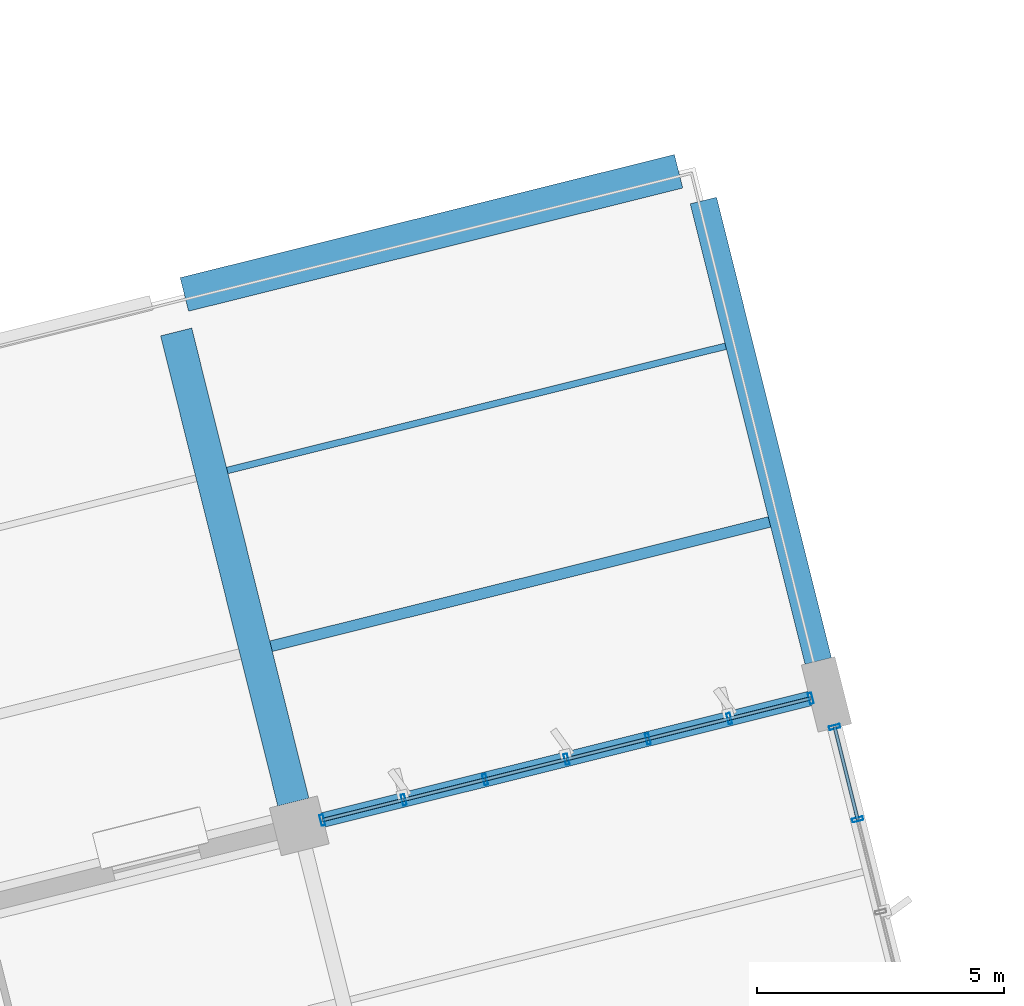
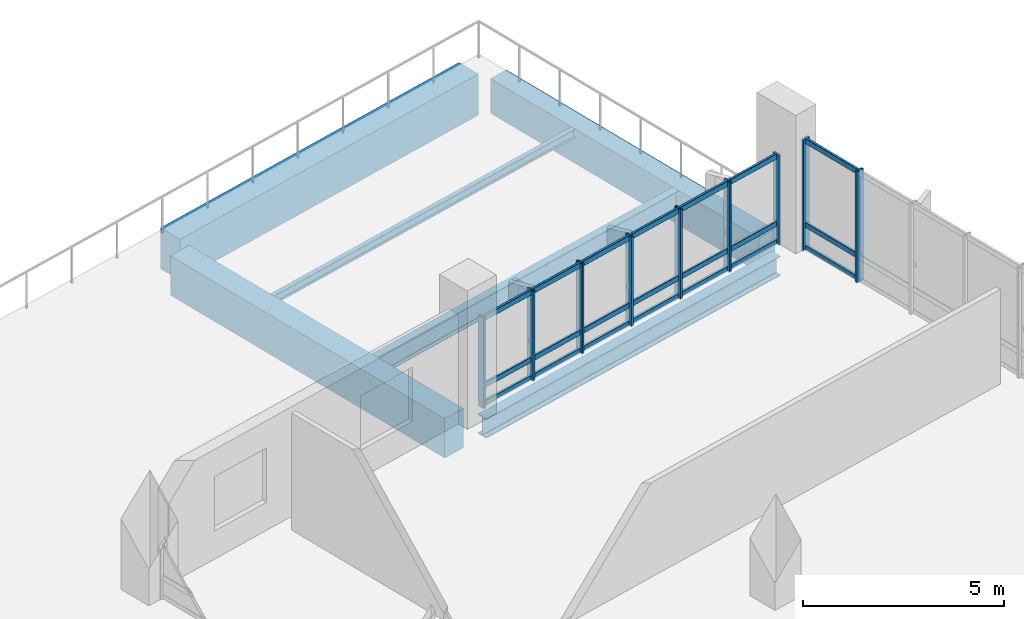
# One storey, part 23 of 42: 30 members, 6 beams, 2 elements without a shape of their own.
"""IFC4 building model written with IfcOpenShell, lengths in metres."""

from ifc_helpers import new_model, si_unit, direction, frame, origin, origin_2d, place, context, subcontext, project, spatial, rectangle, hollow_rectangle, i_section, extrude, material, layer, layer_set, material_profile, profile_set, type_object, element, aggregate, save


model = new_model("IFC4")

# Units and contexts
model_context = context("Model", 3, precision=1e-05, world=origin(), true_north=direction((0.0, 1.0)))
body_context = subcontext(model_context, "Body", "Model", "MODEL_VIEW")
ifc_project = project(units=[si_unit("LENGTHUNIT", "METRE"), si_unit("AREAUNIT", "SQUARE_METRE"), si_unit("VOLUMEUNIT", "CUBIC_METRE"), si_unit("PLANEANGLEUNIT", "RADIAN"), si_unit("MASSUNIT", "GRAM", prefix="KILO")], contexts=[model_context])

# Site, building, storey
site_placement = place(None, origin())
site = spatial("IfcSite", under=ifc_project, at=site_placement, CompositionType="ELEMENT")
building_placement = place(site_placement, origin())
building = spatial("IfcBuilding", under=site, at=building_placement, Name="Khorjan Park Terminus", CompositionType="ELEMENT")
storey_placement = place(building_placement, frame((0.0, 0.0, 20.4)))
storey = spatial("IfcBuildingStorey", under=building, at=storey_placement, Name="L04", CompositionType="ELEMENT", Elevation=20.4)

# Beams
ifc_material_1 = material(Name="Steel S355", Category="steel")
ifc_material_profile_1 = material_profile(ifc_material_1, i_section(OverallWidth=0.3, OverallDepth=0.59, WebThickness=0.013, FlangeThickness=0.025, FilletRadius=0.027, at=origin_2d()), Name="HEA 600")
ifc_profile_set_1 = profile_set([ifc_material_profile_1], Name="Steel S355")
beam_type_1 = type_object("IfcBeamType", Name="BM-HEA600", PredefinedType="BEAM", material=ifc_profile_set_1)
beam_1_placement = place(storey_placement, frame((206.5409, 68.7917, -0.635), z_axis=(0.97029631121, 0.241919549545, 0.0), x_axis=(-0.241919549545, 0.97029631121, 0.0)))
element("IfcBeam", 1, at=beam_1_placement, inside=storey, type_object=beam_type_1, Name="Primary skew-grid floor girder SB-A60 (L04)", PredefinedType="BEAM", context=body_context, shape_type="SweptSolid", body=[
    extrude(i_section(OverallWidth=0.3, OverallDepth=0.59, WebThickness=0.013, FlangeThickness=0.025, FilletRadius=0.027, at=origin_2d()), origin(), (0.0, 0.0, 1.0), 10.16),
])
ifc_material_2 = material(Name="Concrete C40/50", Category="concrete")
ifc_material_profile_2 = material_profile(ifc_material_2, rectangle(XDim=0.55, YDim=1.05, at=origin_2d()), Name="RC 550x1050")
ifc_profile_set_2 = profile_set([ifc_material_profile_2], Name="Concrete C40/50")
beam_type_2 = type_object("IfcBeamType", Name="BM-RC550x1050", PredefinedType="BEAM", material=ifc_profile_set_2)
beam_2_placement = place(storey_placement, frame((216.5657, 72.0075, -0.785), z_axis=(-0.241925915978, 0.970294723874, 0.0), x_axis=(-0.970294723874, -0.241925915978, 0.0)))
element("IfcBeam", 2, at=beam_2_placement, inside=storey, type_object=beam_type_2, Name="Primary skew-grid floor girder GB-105 (L04)", PredefinedType="BEAM", context=body_context, shape_type="SweptSolid", body=[
    extrude(rectangle(XDim=0.55, YDim=1.05, at=origin_2d()), origin(), (0.0, 0.0, 1.0), 9.61),
])
ifc_material_profile_3 = material_profile(ifc_material_2, rectangle(XDim=0.65, YDim=1.2, at=origin_2d()), Name="RC 650x1200")
ifc_profile_set_3 = profile_set([ifc_material_profile_3], Name="Concrete C40/50")
beam_type_3 = type_object("IfcBeamType", Name="BM-RC650x1200", PredefinedType="BEAM", material=ifc_profile_set_3)
beam_3_placement = place(storey_placement, frame((205.9408, 69.1523, -0.86), z_axis=(-0.241916758476, 0.97029700709, 0.0), x_axis=(-0.97029700709, -0.241916758476, 0.0)))
element("IfcBeam", 3, at=beam_3_placement, inside=storey, type_object=beam_type_3, Name="Primary skew-grid floor girder GB-12 (L04)", PredefinedType="BEAM", context=body_context, shape_type="SweptSolid", body=[
    extrude(rectangle(XDim=0.65, YDim=1.2, at=origin_2d()), origin(), (0.0, 0.0, 1.0), 9.81),
])
ifc_material_profile_4 = material_profile(ifc_material_2, rectangle(XDim=0.7, YDim=1.25, at=origin_2d()), Name="RC 700x1250")
ifc_profile_set_4 = profile_set([ifc_material_profile_4], Name="Concrete C40/50")
beam_type_4 = type_object("IfcBeamType", Name="BM-RC700x1250", PredefinedType="BEAM", material=ifc_profile_set_4)
beam_4_placement = place(storey_placement, frame((203.7342, 79.4287, -0.885), z_axis=(0.970295784153, 0.241921663468, 0.0), x_axis=(-0.241921663468, 0.970295784153, 0.0)))
element("IfcBeam", 4, at=beam_4_placement, inside=storey, type_object=beam_type_4, Name="Primary skew-grid floor girder GB-125 (L04)", PredefinedType="BEAM", context=body_context, shape_type="SweptSolid", body=[
    extrude(rectangle(XDim=0.7, YDim=1.25, at=origin_2d()), origin(), (0.0, 0.0, 1.0), 10.3099),
])
ifc_material_profile_5 = material_profile(ifc_material_1, i_section(OverallWidth=0.135, OverallDepth=0.27, WebThickness=0.0066, FlangeThickness=0.0102, FilletRadius=0.015, at=origin_2d()), Name="IPE 270")
ifc_profile_set_5 = profile_set([ifc_material_profile_5], Name="Steel S355")
beam_type_5 = type_object("IfcBeamType", Name="JS-IPE270", PredefinedType="JOIST", material=ifc_profile_set_5)
beam_5_placement = place(storey_placement, frame((204.6018, 75.8661, -0.395), z_axis=(0.970295586552, 0.241922456002, 0.0), x_axis=(-0.241922456002, 0.970295586552, 0.0)))
element("IfcBeam", 5, at=beam_5_placement, inside=storey, type_object=beam_type_5, Name="Secondary composite floor joist SJ-27 (L04)", PredefinedType="JOIST", context=body_context, shape_type="SweptSolid", body=[
    extrude(i_section(OverallWidth=0.135, OverallDepth=0.27, WebThickness=0.0066, FlangeThickness=0.0102, FilletRadius=0.015, at=origin_2d()), origin(), (0.0, 0.0, 1.0), 10.4),
])
ifc_material_profile_6 = material_profile(ifc_material_1, i_section(OverallWidth=0.22, OverallDepth=0.6, WebThickness=0.012, FlangeThickness=0.019, FilletRadius=0.024, at=origin_2d()), Name="IPE 600")
ifc_profile_set_6 = profile_set([ifc_material_profile_6], Name="Steel S355")
beam_type_6 = type_object("IfcBeamType", Name="JS-IPE600", PredefinedType="JOIST", material=ifc_profile_set_6)
beam_6_placement = place(storey_placement, frame((205.4889, 72.3084, -0.56), z_axis=(0.970295023791, 0.241924713097, 0.0), x_axis=(-0.241924713097, 0.970295023791, 0.0)))
element("IfcBeam", 6, at=beam_6_placement, inside=storey, type_object=beam_type_6, Name="Secondary composite floor joist SJ-60 (L04)", PredefinedType="JOIST", context=body_context, shape_type="SweptSolid", body=[
    extrude(i_section(OverallWidth=0.22, OverallDepth=0.6, WebThickness=0.012, FlangeThickness=0.019, FilletRadius=0.024, at=origin_2d()), origin(), (0.0, 0.0, 1.0), 10.3999),
])

# Curtain wall, members
ifc_material_3 = material(Name="Anodized Bronze Aluminium", Category="aluminium")
ifc_layer = layer(ifc_material_3, 0.22)
ifc_layer_set = layer_set([ifc_layer], Name="Anodized Bronze Aluminium")
curtain_wall_type = type_object("IfcCurtainWallType", Name="CW-OPS-B", PredefinedType="NOTDEFINED", material=ifc_layer_set)
curtain_wall_1_placement = place(storey_placement, origin())
curtain_wall_1 = element("IfcCurtainWall", 7, at=curtain_wall_1_placement, inside=storey, type_object=curtain_wall_type, Name="Unitized curtain wall CW-B (CW-V5-E-L04-B05)", PredefinedType="NOTDEFINED")
ifc_material_profile_7 = material_profile(ifc_material_3, hollow_rectangle(XDim=0.075, YDim=0.225, WallThickness=0.005, InnerFilletRadius=0.005, OuterFilletRadius=0.01, at=origin_2d()), Name="ALM 75x225x5")
ifc_profile_set_7 = profile_set([ifc_material_profile_7], Name="Anodized Bronze Aluminium")
member_type_1 = type_object("IfcMemberType", Name="ML-ALM-225", PredefinedType="MULLION", material=ifc_profile_set_7)
member_1_placement = place(storey_placement, frame((217.3647, 68.8025, -0.035), z_axis=(0.0, 0.0, 1.0), x_axis=(-0.241935125171, 0.970292427678, 0.0)))
member_1 = element("IfcMember", 8, at=member_1_placement, type_object=member_type_1, Name="Curtain-wall mullion ML-22 (CW-V5-E-L04-B05-4)", PredefinedType="MULLION", context=body_context, shape_type="SweptSolid", body=[
    extrude(hollow_rectangle(XDim=0.075, YDim=0.225, WallThickness=0.005, InnerFilletRadius=0.005, OuterFilletRadius=0.01, at=origin_2d()), origin(), (0.0, 0.0, 1.0), 3.385),
])
member_2_placement = place(storey_placement, frame((216.8983, 70.6732, -0.035), z_axis=(0.0, 0.0, 1.0), x_axis=(-0.241935125171, 0.970292427678, 0.0)))
member_2 = element("IfcMember", 9, at=member_2_placement, type_object=member_type_1, Name="Curtain-wall mullion ML-22 (CW-V5-E-L04-B05-5)", PredefinedType="MULLION", context=body_context, shape_type="SweptSolid", body=[
    extrude(hollow_rectangle(XDim=0.075, YDim=0.225, WallThickness=0.005, InnerFilletRadius=0.005, OuterFilletRadius=0.01, at=origin_2d()), origin(), (0.0, 0.0, 1.0), 3.385),
])

curtain_wall_2_placement = place(storey_placement, origin())
curtain_wall_2 = element("IfcCurtainWall", 10, at=curtain_wall_2_placement, inside=storey, type_object=curtain_wall_type, Name="Unitized curtain wall CW-B (CW-V5-N-L04-B01)", PredefinedType="NOTDEFINED")
member_3_placement = place(storey_placement, frame((216.4138, 71.2533, -0.035), z_axis=(0.0, 0.0, 1.0), x_axis=(-0.970296438026, -0.241919040907, 0.0)))
member_3 = element("IfcMember", 11, at=member_3_placement, type_object=member_type_1, Name="Curtain-wall mullion ML-22 (CW-V5-N-L04-B01-0)", PredefinedType="MULLION", context=body_context, shape_type="SweptSolid", body=[
    extrude(hollow_rectangle(XDim=0.075, YDim=0.225, WallThickness=0.005, InnerFilletRadius=0.005, OuterFilletRadius=0.01, at=origin_2d()), origin(), (0.0, 0.0, 1.0), 2.735),
])
member_4_placement = place(storey_placement, frame((214.766, 70.8424, -0.035), z_axis=(0.0, 0.0, 1.0), x_axis=(-0.970296438026, -0.241919040907, 0.0)))
member_4 = element("IfcMember", 12, at=member_4_placement, type_object=member_type_1, Name="Curtain-wall mullion ML-22 (CW-V5-N-L04-B01-1)", PredefinedType="MULLION", context=body_context, shape_type="SweptSolid", body=[
    extrude(hollow_rectangle(XDim=0.075, YDim=0.225, WallThickness=0.005, InnerFilletRadius=0.005, OuterFilletRadius=0.01, at=origin_2d()), origin(), (0.0, 0.0, 1.0), 2.735),
])
member_5_placement = place(storey_placement, frame((213.1181, 70.4316, -0.035), z_axis=(0.0, 0.0, 1.0), x_axis=(-0.970296438026, -0.241919040907, 0.0)))
member_5 = element("IfcMember", 13, at=member_5_placement, type_object=member_type_1, Name="Curtain-wall mullion ML-22 (CW-V5-N-L04-B01-2)", PredefinedType="MULLION", context=body_context, shape_type="SweptSolid", body=[
    extrude(hollow_rectangle(XDim=0.075, YDim=0.225, WallThickness=0.005, InnerFilletRadius=0.005, OuterFilletRadius=0.01, at=origin_2d()), origin(), (0.0, 0.0, 1.0), 2.735),
])
member_6_placement = place(storey_placement, frame((211.4703, 70.0207, -0.035), z_axis=(0.0, 0.0, 1.0), x_axis=(-0.970296438026, -0.241919040907, 0.0)))
member_6 = element("IfcMember", 14, at=member_6_placement, type_object=member_type_1, Name="Curtain-wall mullion ML-22 (CW-V5-N-L04-B01-3)", PredefinedType="MULLION", context=body_context, shape_type="SweptSolid", body=[
    extrude(hollow_rectangle(XDim=0.075, YDim=0.225, WallThickness=0.005, InnerFilletRadius=0.005, OuterFilletRadius=0.01, at=origin_2d()), origin(), (0.0, 0.0, 1.0), 2.735),
])
member_7_placement = place(storey_placement, frame((209.8224, 69.6099, -0.035), z_axis=(0.0, 0.0, 1.0), x_axis=(-0.970296438026, -0.241919040907, 0.0)))
member_7 = element("IfcMember", 15, at=member_7_placement, type_object=member_type_1, Name="Curtain-wall mullion ML-22 (CW-V5-N-L04-B01-4)", PredefinedType="MULLION", context=body_context, shape_type="SweptSolid", body=[
    extrude(hollow_rectangle(XDim=0.075, YDim=0.225, WallThickness=0.005, InnerFilletRadius=0.005, OuterFilletRadius=0.01, at=origin_2d()), origin(), (0.0, 0.0, 1.0), 2.735),
])
member_8_placement = place(storey_placement, frame((208.1746, 69.199, -0.035), z_axis=(0.0, 0.0, 1.0), x_axis=(-0.970296438026, -0.241919040907, 0.0)))
member_8 = element("IfcMember", 16, at=member_8_placement, type_object=member_type_1, Name="Curtain-wall mullion ML-22 (CW-V5-N-L04-B01-5)", PredefinedType="MULLION", context=body_context, shape_type="SweptSolid", body=[
    extrude(hollow_rectangle(XDim=0.075, YDim=0.225, WallThickness=0.005, InnerFilletRadius=0.005, OuterFilletRadius=0.01, at=origin_2d()), origin(), (0.0, 0.0, 1.0), 2.735),
])
member_9_placement = place(storey_placement, frame((206.5267, 68.7882, -0.035), z_axis=(0.0, 0.0, 1.0), x_axis=(-0.970296438026, -0.241919040907, 0.0)))
member_9 = element("IfcMember", 17, at=member_9_placement, type_object=member_type_1, Name="Curtain-wall mullion ML-22 (CW-V5-N-L04-B01-6)", PredefinedType="MULLION", context=body_context, shape_type="SweptSolid", body=[
    extrude(hollow_rectangle(XDim=0.075, YDim=0.225, WallThickness=0.005, InnerFilletRadius=0.005, OuterFilletRadius=0.01, at=origin_2d()), origin(), (0.0, 0.0, 1.0), 2.735),
])

# Member
ifc_material_profile_8 = material_profile(ifc_material_3, hollow_rectangle(XDim=0.07, YDim=0.16, WallThickness=0.004, InnerFilletRadius=0.004, OuterFilletRadius=0.008, at=origin_2d()), Name="ALT 70x160x4")
ifc_profile_set_8 = profile_set([ifc_material_profile_8], Name="Anodized Bronze Aluminium")
member_type_2 = type_object("IfcMemberType", Name="TR-ALT-160", PredefinedType="USERDEFINED", material=ifc_profile_set_8)
member_10_placement = place(storey_placement, frame((217.3647, 68.8025, 0.04), z_axis=(-0.241913157049, 0.970297905, 0.0), x_axis=(-0.970297905, -0.241913157049, 0.0)))
member_10 = element("IfcMember", 18, at=member_10_placement, type_object=member_type_2, Name="Curtain-wall transom TR-16 (CW-V5-E-L04-B05-4-1)", ObjectType="TRANSOM", PredefinedType="USERDEFINED", context=body_context, shape_type="SweptSolid", body=[
    extrude(hollow_rectangle(XDim=0.07, YDim=0.16, WallThickness=0.004, InnerFilletRadius=0.004, OuterFilletRadius=0.008, at=origin_2d()), origin(), (0.0, 0.0, 1.0), 1.928),
])

member_11_placement = place(storey_placement, frame((217.3647, 68.8025, 0.729), z_axis=(-0.241913157049, 0.970297905, 0.0), x_axis=(-0.970297905, -0.241913157049, 0.0)))
member_11 = element("IfcMember", 19, at=member_11_placement, type_object=member_type_2, Name="Curtain-wall transom TR-16 (CW-V5-E-L04-B05-4-2)", ObjectType="TRANSOM", PredefinedType="USERDEFINED", context=body_context, shape_type="SweptSolid", body=[
    extrude(hollow_rectangle(XDim=0.07, YDim=0.16, WallThickness=0.004, InnerFilletRadius=0.004, OuterFilletRadius=0.008, at=origin_2d()), origin(), (0.0, 0.0, 1.0), 1.928),
])

member_12_placement = place(storey_placement, frame((217.3647, 68.8025, 3.275), z_axis=(-0.241913157049, 0.970297905, 0.0), x_axis=(-0.970297905, -0.241913157049, 0.0)))
member_12 = element("IfcMember", 20, at=member_12_placement, type_object=member_type_2, Name="Curtain-wall transom TR-16 (CW-V5-E-L04-B05-4-3)", ObjectType="TRANSOM", PredefinedType="USERDEFINED", context=body_context, shape_type="SweptSolid", body=[
    extrude(hollow_rectangle(XDim=0.07, YDim=0.16, WallThickness=0.004, InnerFilletRadius=0.004, OuterFilletRadius=0.008, at=origin_2d()), origin(), (0.0, 0.0, 1.0), 1.928),
])

aggregate(curtain_wall_1, [member_1, member_2, member_10, member_11, member_12])

member_13_placement = place(storey_placement, frame((216.4138, 71.2533, 0.04), z_axis=(-0.97028780333, -0.241953670584, 0.0), x_axis=(0.241953670584, -0.97028780333, 0.0)))
member_13 = element("IfcMember", 21, at=member_13_placement, type_object=member_type_2, Name="Curtain-wall transom TR-16 (CW-V5-N-L04-B01-0-1)", ObjectType="TRANSOM", PredefinedType="USERDEFINED", context=body_context, shape_type="SweptSolid", body=[
    extrude(hollow_rectangle(XDim=0.07, YDim=0.16, WallThickness=0.004, InnerFilletRadius=0.004, OuterFilletRadius=0.008, at=origin_2d()), origin(), (0.0, 0.0, 1.0), 1.6983),
])

member_14_placement = place(storey_placement, frame((216.4138, 71.2533, 0.586), z_axis=(-0.97028780333, -0.241953670584, 0.0), x_axis=(0.241953670584, -0.97028780333, 0.0)))
member_14 = element("IfcMember", 22, at=member_14_placement, type_object=member_type_2, Name="Curtain-wall transom TR-16 (CW-V5-N-L04-B01-0-2)", ObjectType="TRANSOM", PredefinedType="USERDEFINED", context=body_context, shape_type="SweptSolid", body=[
    extrude(hollow_rectangle(XDim=0.07, YDim=0.16, WallThickness=0.004, InnerFilletRadius=0.004, OuterFilletRadius=0.008, at=origin_2d()), origin(), (0.0, 0.0, 1.0), 1.6983),
])

member_15_placement = place(storey_placement, frame((216.4138, 71.2533, 2.625), z_axis=(-0.97028780333, -0.241953670584, 0.0), x_axis=(0.241953670584, -0.97028780333, 0.0)))
member_15 = element("IfcMember", 23, at=member_15_placement, type_object=member_type_2, Name="Curtain-wall transom TR-16 (CW-V5-N-L04-B01-0-3)", ObjectType="TRANSOM", PredefinedType="USERDEFINED", context=body_context, shape_type="SweptSolid", body=[
    extrude(hollow_rectangle(XDim=0.07, YDim=0.16, WallThickness=0.004, InnerFilletRadius=0.004, OuterFilletRadius=0.008, at=origin_2d()), origin(), (0.0, 0.0, 1.0), 1.6983),
])

member_16_placement = place(storey_placement, frame((214.766, 70.8424, 0.04), z_axis=(-0.970305071115, -0.241884412412, 0.0), x_axis=(0.241884412412, -0.970305071115, 0.0)))
member_16 = element("IfcMember", 24, at=member_16_placement, type_object=member_type_2, Name="Curtain-wall transom TR-16 (CW-V5-N-L04-B01-1-1)", ObjectType="TRANSOM", PredefinedType="USERDEFINED", context=body_context, shape_type="SweptSolid", body=[
    extrude(hollow_rectangle(XDim=0.07, YDim=0.16, WallThickness=0.004, InnerFilletRadius=0.004, OuterFilletRadius=0.008, at=origin_2d()), origin(), (0.0, 0.0, 1.0), 1.6983),
])

member_17_placement = place(storey_placement, frame((214.766, 70.8424, 0.586), z_axis=(-0.970305071115, -0.241884412412, 0.0), x_axis=(0.241884412412, -0.970305071115, 0.0)))
member_17 = element("IfcMember", 25, at=member_17_placement, type_object=member_type_2, Name="Curtain-wall transom TR-16 (CW-V5-N-L04-B01-1-2)", ObjectType="TRANSOM", PredefinedType="USERDEFINED", context=body_context, shape_type="SweptSolid", body=[
    extrude(hollow_rectangle(XDim=0.07, YDim=0.16, WallThickness=0.004, InnerFilletRadius=0.004, OuterFilletRadius=0.008, at=origin_2d()), origin(), (0.0, 0.0, 1.0), 1.6983),
])

member_18_placement = place(storey_placement, frame((214.766, 70.8424, 2.625), z_axis=(-0.970305071115, -0.241884412412, 0.0), x_axis=(0.241884412412, -0.970305071115, 0.0)))
member_18 = element("IfcMember", 26, at=member_18_placement, type_object=member_type_2, Name="Curtain-wall transom TR-16 (CW-V5-N-L04-B01-1-3)", ObjectType="TRANSOM", PredefinedType="USERDEFINED", context=body_context, shape_type="SweptSolid", body=[
    extrude(hollow_rectangle(XDim=0.07, YDim=0.16, WallThickness=0.004, InnerFilletRadius=0.004, OuterFilletRadius=0.008, at=origin_2d()), origin(), (0.0, 0.0, 1.0), 1.6983),
])

member_19_placement = place(storey_placement, frame((213.1181, 70.4316, 0.04), z_axis=(-0.97028780333, -0.241953670584, 0.0), x_axis=(0.241953670584, -0.97028780333, 0.0)))
member_19 = element("IfcMember", 27, at=member_19_placement, type_object=member_type_2, Name="Curtain-wall transom TR-16 (CW-V5-N-L04-B01-2-1)", ObjectType="TRANSOM", PredefinedType="USERDEFINED", context=body_context, shape_type="SweptSolid", body=[
    extrude(hollow_rectangle(XDim=0.07, YDim=0.16, WallThickness=0.004, InnerFilletRadius=0.004, OuterFilletRadius=0.008, at=origin_2d()), origin(), (0.0, 0.0, 1.0), 1.6983),
])

member_20_placement = place(storey_placement, frame((213.1181, 70.4316, 0.586), z_axis=(-0.97028780333, -0.241953670584, 0.0), x_axis=(0.241953670584, -0.97028780333, 0.0)))
member_20 = element("IfcMember", 28, at=member_20_placement, type_object=member_type_2, Name="Curtain-wall transom TR-16 (CW-V5-N-L04-B01-2-2)", ObjectType="TRANSOM", PredefinedType="USERDEFINED", context=body_context, shape_type="SweptSolid", body=[
    extrude(hollow_rectangle(XDim=0.07, YDim=0.16, WallThickness=0.004, InnerFilletRadius=0.004, OuterFilletRadius=0.008, at=origin_2d()), origin(), (0.0, 0.0, 1.0), 1.6983),
])

member_21_placement = place(storey_placement, frame((213.1181, 70.4316, 2.625), z_axis=(-0.97028780333, -0.241953670584, 0.0), x_axis=(0.241953670584, -0.97028780333, 0.0)))
member_21 = element("IfcMember", 29, at=member_21_placement, type_object=member_type_2, Name="Curtain-wall transom TR-16 (CW-V5-N-L04-B01-2-3)", ObjectType="TRANSOM", PredefinedType="USERDEFINED", context=body_context, shape_type="SweptSolid", body=[
    extrude(hollow_rectangle(XDim=0.07, YDim=0.16, WallThickness=0.004, InnerFilletRadius=0.004, OuterFilletRadius=0.008, at=origin_2d()), origin(), (0.0, 0.0, 1.0), 1.6983),
])

member_22_placement = place(storey_placement, frame((211.4703, 70.0207, 0.04), z_axis=(-0.970305071115, -0.241884412412, 0.0), x_axis=(0.241884412412, -0.970305071115, 0.0)))
member_22 = element("IfcMember", 30, at=member_22_placement, type_object=member_type_2, Name="Curtain-wall transom TR-16 (CW-V5-N-L04-B01-3-1)", ObjectType="TRANSOM", PredefinedType="USERDEFINED", context=body_context, shape_type="SweptSolid", body=[
    extrude(hollow_rectangle(XDim=0.07, YDim=0.16, WallThickness=0.004, InnerFilletRadius=0.004, OuterFilletRadius=0.008, at=origin_2d()), origin(), (0.0, 0.0, 1.0), 1.6983),
])

member_23_placement = place(storey_placement, frame((211.4703, 70.0207, 0.586), z_axis=(-0.970305071115, -0.241884412412, 0.0), x_axis=(0.241884412412, -0.970305071115, 0.0)))
member_23 = element("IfcMember", 31, at=member_23_placement, type_object=member_type_2, Name="Curtain-wall transom TR-16 (CW-V5-N-L04-B01-3-2)", ObjectType="TRANSOM", PredefinedType="USERDEFINED", context=body_context, shape_type="SweptSolid", body=[
    extrude(hollow_rectangle(XDim=0.07, YDim=0.16, WallThickness=0.004, InnerFilletRadius=0.004, OuterFilletRadius=0.008, at=origin_2d()), origin(), (0.0, 0.0, 1.0), 1.6983),
])

member_24_placement = place(storey_placement, frame((211.4703, 70.0207, 2.625), z_axis=(-0.970305071115, -0.241884412412, 0.0), x_axis=(0.241884412412, -0.970305071115, 0.0)))
member_24 = element("IfcMember", 32, at=member_24_placement, type_object=member_type_2, Name="Curtain-wall transom TR-16 (CW-V5-N-L04-B01-3-3)", ObjectType="TRANSOM", PredefinedType="USERDEFINED", context=body_context, shape_type="SweptSolid", body=[
    extrude(hollow_rectangle(XDim=0.07, YDim=0.16, WallThickness=0.004, InnerFilletRadius=0.004, OuterFilletRadius=0.008, at=origin_2d()), origin(), (0.0, 0.0, 1.0), 1.6983),
])

member_25_placement = place(storey_placement, frame((209.8224, 69.6099, 0.04), z_axis=(-0.97028780333, -0.241953670584, 0.0), x_axis=(0.241953670584, -0.97028780333, 0.0)))
member_25 = element("IfcMember", 33, at=member_25_placement, type_object=member_type_2, Name="Curtain-wall transom TR-16 (CW-V5-N-L04-B01-4-1)", ObjectType="TRANSOM", PredefinedType="USERDEFINED", context=body_context, shape_type="SweptSolid", body=[
    extrude(hollow_rectangle(XDim=0.07, YDim=0.16, WallThickness=0.004, InnerFilletRadius=0.004, OuterFilletRadius=0.008, at=origin_2d()), origin(), (0.0, 0.0, 1.0), 1.6983),
])

member_26_placement = place(storey_placement, frame((209.8224, 69.6099, 0.586), z_axis=(-0.97028780333, -0.241953670584, 0.0), x_axis=(0.241953670584, -0.97028780333, 0.0)))
member_26 = element("IfcMember", 34, at=member_26_placement, type_object=member_type_2, Name="Curtain-wall transom TR-16 (CW-V5-N-L04-B01-4-2)", ObjectType="TRANSOM", PredefinedType="USERDEFINED", context=body_context, shape_type="SweptSolid", body=[
    extrude(hollow_rectangle(XDim=0.07, YDim=0.16, WallThickness=0.004, InnerFilletRadius=0.004, OuterFilletRadius=0.008, at=origin_2d()), origin(), (0.0, 0.0, 1.0), 1.6983),
])

member_27_placement = place(storey_placement, frame((209.8224, 69.6099, 2.625), z_axis=(-0.97028780333, -0.241953670584, 0.0), x_axis=(0.241953670584, -0.97028780333, 0.0)))
member_27 = element("IfcMember", 35, at=member_27_placement, type_object=member_type_2, Name="Curtain-wall transom TR-16 (CW-V5-N-L04-B01-4-3)", ObjectType="TRANSOM", PredefinedType="USERDEFINED", context=body_context, shape_type="SweptSolid", body=[
    extrude(hollow_rectangle(XDim=0.07, YDim=0.16, WallThickness=0.004, InnerFilletRadius=0.004, OuterFilletRadius=0.008, at=origin_2d()), origin(), (0.0, 0.0, 1.0), 1.6983),
])

member_28_placement = place(storey_placement, frame((208.1746, 69.199, 0.04), z_axis=(-0.970305071115, -0.241884412412, 0.0), x_axis=(0.241884412412, -0.970305071115, 0.0)))
member_28 = element("IfcMember", 36, at=member_28_placement, type_object=member_type_2, Name="Curtain-wall transom TR-16 (CW-V5-N-L04-B01-5-1)", ObjectType="TRANSOM", PredefinedType="USERDEFINED", context=body_context, shape_type="SweptSolid", body=[
    extrude(hollow_rectangle(XDim=0.07, YDim=0.16, WallThickness=0.004, InnerFilletRadius=0.004, OuterFilletRadius=0.008, at=origin_2d()), origin(), (0.0, 0.0, 1.0), 1.6983),
])

member_29_placement = place(storey_placement, frame((208.1746, 69.199, 0.586), z_axis=(-0.970305071115, -0.241884412412, 0.0), x_axis=(0.241884412412, -0.970305071115, 0.0)))
member_29 = element("IfcMember", 37, at=member_29_placement, type_object=member_type_2, Name="Curtain-wall transom TR-16 (CW-V5-N-L04-B01-5-2)", ObjectType="TRANSOM", PredefinedType="USERDEFINED", context=body_context, shape_type="SweptSolid", body=[
    extrude(hollow_rectangle(XDim=0.07, YDim=0.16, WallThickness=0.004, InnerFilletRadius=0.004, OuterFilletRadius=0.008, at=origin_2d()), origin(), (0.0, 0.0, 1.0), 1.6983),
])

member_30_placement = place(storey_placement, frame((208.1746, 69.199, 2.625), z_axis=(-0.970305071115, -0.241884412412, 0.0), x_axis=(0.241884412412, -0.970305071115, 0.0)))
member_30 = element("IfcMember", 38, at=member_30_placement, type_object=member_type_2, Name="Curtain-wall transom TR-16 (CW-V5-N-L04-B01-5-3)", ObjectType="TRANSOM", PredefinedType="USERDEFINED", context=body_context, shape_type="SweptSolid", body=[
    extrude(hollow_rectangle(XDim=0.07, YDim=0.16, WallThickness=0.004, InnerFilletRadius=0.004, OuterFilletRadius=0.008, at=origin_2d()), origin(), (0.0, 0.0, 1.0), 1.6983),
])

aggregate(curtain_wall_2, [member_3, member_4, member_5, member_6, member_7, member_8, member_9, member_13, member_14, member_15, member_16, member_17, member_18, member_19, member_20, member_21, member_22, member_23, member_24, member_25, member_26, member_27, member_28, member_29, member_30])

save(model, "model.ifc")
